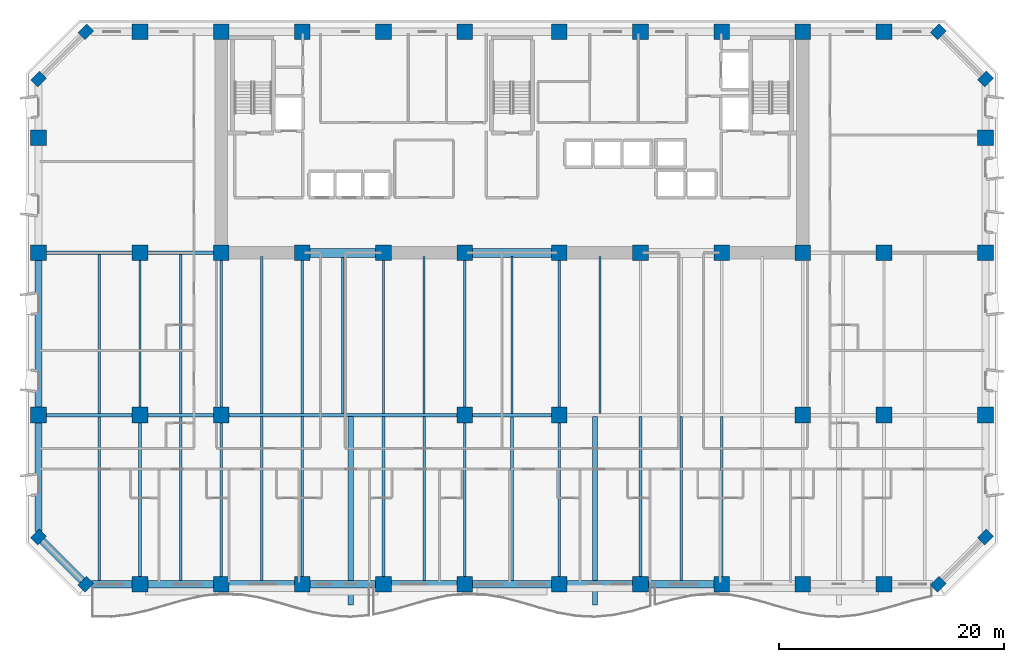
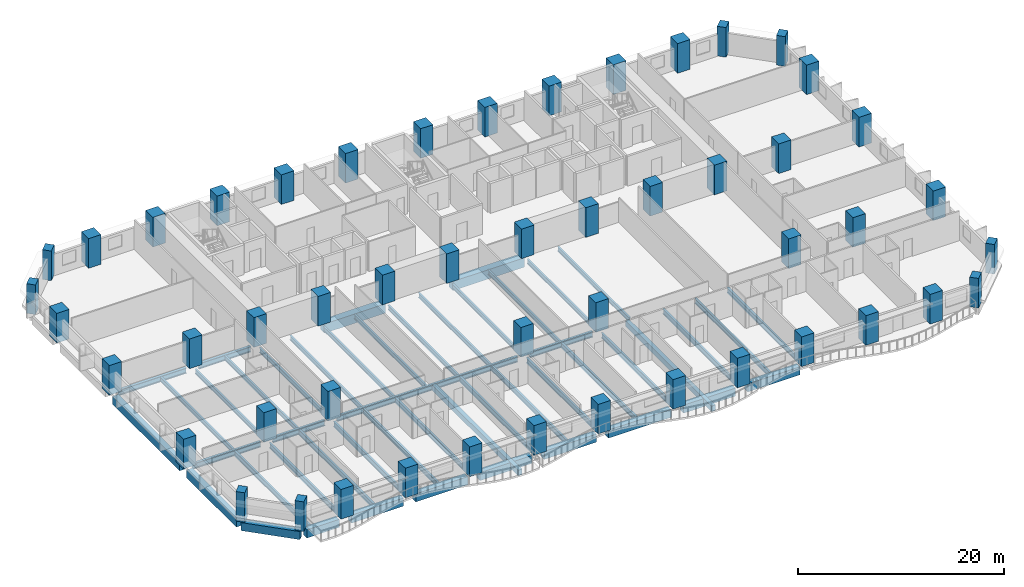
# One storey, part 1 of 15: 50 columns, 48 beams.
"""IFC4 building model written with IfcOpenShell, lengths in metres."""

from ifc_helpers import new_model, si_unit, direction, frame, origin, origin_2d, place, context, subcontext, project, spatial, rectangle, i_section, extrude, material, material_profile, profile_set, type_object, element, save


model = new_model("IFC4")

# Units and contexts
model_context = context("Model", 3, precision=1e-05, world=origin(), true_north=direction((0.0, 1.0)))
body_context = subcontext(model_context, "Body", "Model", "MODEL_VIEW")
ifc_project = project(units=[si_unit("LENGTHUNIT", "METRE"), si_unit("AREAUNIT", "SQUARE_METRE"), si_unit("VOLUMEUNIT", "CUBIC_METRE"), si_unit("PLANEANGLEUNIT", "RADIAN"), si_unit("MASSUNIT", "GRAM", prefix="KILO")], contexts=[model_context])

# Site, building, storey
site_placement = place(None, origin())
site = spatial("IfcSite", under=ifc_project, at=site_placement, CompositionType="ELEMENT")
building_placement = place(site_placement, origin())
building = spatial("IfcBuilding", under=site, at=building_placement, Name="Kaelvorn Grand Hotel", CompositionType="ELEMENT")
storey_placement = place(building_placement, frame((0.0, 0.0, 42.64990234375)))
storey = spatial("IfcBuildingStorey", under=building, at=storey_placement, Name="L08", CompositionType="ELEMENT", Elevation=42.64990234375)

# Columns
ifc_material_1 = material(Name="Concrete C80/95", Category="concrete")
ifc_material_profile_1 = material_profile(ifc_material_1, rectangle(XDim=1.10009765625, YDim=0.89990234375, at=origin_2d()), Name="RC PILASTER 1100x900")
ifc_profile_set_1 = profile_set([ifc_material_profile_1], Name="Concrete C80/95")
column_type_1 = type_object("IfcColumnType", Name="COL-PIL-1100x900-C80", PredefinedType="PILASTER", material=ifc_profile_set_1)
for number, where, z_axis, x_axis, name in (
    (1, (4.199951171875, 0.0, 0.0), (0.0, 0.0, 1.0), (0.707106781187, 0.707106781187, 0.0), "L08 Structural Column CH-01"),
    (2, (79.800048828125, 0.0, 0.0), (0.0, 0.0, 1.0), (0.707106781187, 0.707106781187, 0.0), "L08 Structural Column CH-02"),
    (3, (84.0, 4.199951171875, 0.0), (0.0, 0.0, 1.0), (0.707106781187, 0.707106781187, 0.0), "L08 Structural Column CH-03"),
    (4, (84.0, 44.800048828125, 0.0), (0.0, 0.0, 1.0), (0.707106781187, 0.707106781187, 0.0), "L08 Structural Column CH-04"),
    (5, (79.800048828125, 49.0, 0.0), (0.0, 0.0, 1.0), (0.707106781187, 0.707106781187, 0.0), "L08 Structural Column CH-05"),
    (6, (4.199951171875, 49.0, 0.0), (0.0, 0.0, 1.0), (0.707106781187, 0.707106781187, 0.0), "L08 Structural Column CH-06"),
    (7, (0.0, 44.800048828125, 0.0), (0.0, 0.0, 1.0), (0.707106781187, 0.707106781187, 0.0), "L08 Structural Column CH-07"),
    (8, (0.0, 4.199951171875, 0.0), (0.0, 0.0, 1.0), (0.707106781187, 0.707106781187, 0.0), "L08 Structural Column CH-08"),
):
    element("IfcColumn", number, at=place(storey_placement, frame(where, z_axis=z_axis, x_axis=x_axis)), inside=storey, type_object=column_type_1, Name=name, PredefinedType="PILASTER", context=body_context, shape_type="SweptSolid", body=[
        extrude(rectangle(XDim=1.10009765625, YDim=0.89990234375, at=origin_2d()), origin(), (0.0, 0.0, 1.0), 3.510009765625),
    ])
ifc_material_profile_2 = material_profile(ifc_material_1, rectangle(XDim=1.39990234375, YDim=1.39990234375, at=origin_2d()), Name="RC COL 1400x1400")
ifc_profile_set_2 = profile_set([ifc_material_profile_2], Name="Concrete C80/95")
column_type_2 = type_object("IfcColumnType", Name="COL-RC-1400-C80", PredefinedType="COLUMN", material=ifc_profile_set_2)
for number, where, z_axis, x_axis, name in (
    (9, (9.0, 0.0, 0.0), (0.0, 0.0, 1.0), (1.0, 0.0, 0.0), "L08 Structural Column S-01"),
    (10, (16.199951171875, 0.0, 0.0), (0.0, 0.0, 1.0), (1.0, 0.0, 0.0), "L08 Structural Column S-02"),
    (11, (23.39990234375, 0.0, 0.0), (0.0, 0.0, 1.0), (1.0, 0.0, 0.0), "L08 Structural Column S-03"),
    (12, (30.60009765625, 0.0, 0.0), (0.0, 0.0, 1.0), (1.0, 0.0, 0.0), "L08 Structural Column S-04"),
    (13, (37.800048828125, 0.0, 0.0), (0.0, 0.0, 1.0), (1.0, 0.0, 0.0), "L08 Structural Column S-05"),
    (14, (46.199951171875, 0.0, 0.0), (0.0, 0.0, 1.0), (1.0, 0.0, 0.0), "L08 Structural Column S-06"),
    (15, (53.39990234375, 0.0, 0.0), (0.0, 0.0, 1.0), (1.0, 0.0, 0.0), "L08 Structural Column S-07"),
    (16, (60.60009765625, 0.0, 0.0), (0.0, 0.0, 1.0), (1.0, 0.0, 0.0), "L08 Structural Column S-08"),
    (17, (67.800048828125, 0.0, 0.0), (0.0, 0.0, 1.0), (1.0, 0.0, 0.0), "L08 Structural Column S-09"),
    (18, (75.0, 0.0, 0.0), (0.0, 0.0, 1.0), (1.0, 0.0, 0.0), "L08 Structural Column S-10"),
    (19, (0.0, 15.0, 0.0), (0.0, 0.0, 1.0), (1.0, 0.0, 0.0), "L08 Structural Column W-01"),
    (20, (84.0, 15.0, 0.0), (0.0, 0.0, 1.0), (1.0, 0.0, 0.0), "L08 Structural Column E-01"),
    (21, (0.0, 29.39990234375, 0.0), (0.0, 0.0, 1.0), (1.0, 0.0, 0.0), "L08 Structural Column W-02"),
    (22, (84.0, 29.39990234375, 0.0), (0.0, 0.0, 1.0), (1.0, 0.0, 0.0), "L08 Structural Column E-02"),
    (23, (0.0, 39.60009765625, 0.0), (0.0, 0.0, 1.0), (1.0, 0.0, 0.0), "L08 Structural Column W-03"),
    (24, (84.0, 39.60009765625, 0.0), (0.0, 0.0, 1.0), (1.0, 0.0, 0.0), "L08 Structural Column E-03"),
    (25, (9.0, 15.0, 0.0), (0.0, 0.0, 1.0), (1.0, 0.0, 0.0), "L08 Structural Column M-01"),
    (26, (16.199951171875, 15.0, 0.0), (0.0, 0.0, 1.0), (1.0, 0.0, 0.0), "L08 Structural Column M-02"),
    (27, (37.800048828125, 15.0, 0.0), (0.0, 0.0, 1.0), (1.0, 0.0, 0.0), "L08 Structural Column M-03"),
    (28, (46.199951171875, 15.0, 0.0), (0.0, 0.0, 1.0), (1.0, 0.0, 0.0), "L08 Structural Column M-04"),
    (29, (67.800048828125, 15.0, 0.0), (0.0, 0.0, 1.0), (1.0, 0.0, 0.0), "L08 Structural Column M-05"),
    (30, (75.0, 15.0, 0.0), (0.0, 0.0, 1.0), (1.0, 0.0, 0.0), "L08 Structural Column M-06"),
    (31, (9.0, 29.39990234375, 0.0), (0.0, 0.0, 1.0), (1.0, 0.0, 0.0), "L08 Structural Column CR1-01"),
    (32, (9.0, 49.0, 0.0), (0.0, 0.0, 1.0), (1.0, 0.0, 0.0), "L08 Structural Column CR2-01"),
    (33, (16.199951171875, 29.39990234375, 0.0), (0.0, 0.0, 1.0), (1.0, 0.0, 0.0), "L08 Structural Column CR1-02"),
    (34, (16.199951171875, 49.0, 0.0), (0.0, 0.0, 1.0), (1.0, 0.0, 0.0), "L08 Structural Column CR2-02"),
    (35, (23.39990234375, 29.39990234375, 0.0), (0.0, 0.0, 1.0), (1.0, 0.0, 0.0), "L08 Structural Column CR1-03"),
    (36, (23.39990234375, 49.0, 0.0), (0.0, 0.0, 1.0), (1.0, 0.0, 0.0), "L08 Structural Column CR2-03"),
    (37, (30.60009765625, 29.39990234375, 0.0), (0.0, 0.0, 1.0), (1.0, 0.0, 0.0), "L08 Structural Column CR1-04"),
    (38, (30.60009765625, 49.0, 0.0), (0.0, 0.0, 1.0), (1.0, 0.0, 0.0), "L08 Structural Column CR2-04"),
    (39, (37.800048828125, 29.39990234375, 0.0), (0.0, 0.0, 1.0), (1.0, 0.0, 0.0), "L08 Structural Column CR1-05"),
    (40, (37.800048828125, 49.0, 0.0), (0.0, 0.0, 1.0), (1.0, 0.0, 0.0), "L08 Structural Column CR2-05"),
    (41, (46.199951171875, 29.39990234375, 0.0), (0.0, 0.0, 1.0), (1.0, 0.0, 0.0), "L08 Structural Column CR1-06"),
    (42, (46.199951171875, 49.0, 0.0), (0.0, 0.0, 1.0), (1.0, 0.0, 0.0), "L08 Structural Column CR2-06"),
    (43, (53.39990234375, 29.39990234375, 0.0), (0.0, 0.0, 1.0), (1.0, 0.0, 0.0), "L08 Structural Column CR1-07"),
    (44, (53.39990234375, 49.0, 0.0), (0.0, 0.0, 1.0), (1.0, 0.0, 0.0), "L08 Structural Column CR2-07"),
    (45, (60.60009765625, 29.39990234375, 0.0), (0.0, 0.0, 1.0), (1.0, 0.0, 0.0), "L08 Structural Column CR1-08"),
    (46, (60.60009765625, 49.0, 0.0), (0.0, 0.0, 1.0), (1.0, 0.0, 0.0), "L08 Structural Column CR2-08"),
    (47, (67.800048828125, 29.39990234375, 0.0), (0.0, 0.0, 1.0), (1.0, 0.0, 0.0), "L08 Structural Column CR1-09"),
    (48, (67.800048828125, 49.0, 0.0), (0.0, 0.0, 1.0), (1.0, 0.0, 0.0), "L08 Structural Column CR2-09"),
    (49, (75.0, 29.39990234375, 0.0), (0.0, 0.0, 1.0), (1.0, 0.0, 0.0), "L08 Structural Column CR1-10"),
    (50, (75.0, 49.0, 0.0), (0.0, 0.0, 1.0), (1.0, 0.0, 0.0), "L08 Structural Column CR2-10"),
):
    element("IfcColumn", number, at=place(storey_placement, frame(where, z_axis=z_axis, x_axis=x_axis)), inside=storey, type_object=column_type_2, Name=name, PredefinedType="COLUMN", context=body_context, shape_type="SweptSolid", body=[
        extrude(rectangle(XDim=1.39990234375, YDim=1.39990234375, at=origin_2d()), origin(), (0.0, 0.0, 1.0), 3.510009765625),
    ])

# Beams
ifc_material_2 = material(Name="Steel S355", Category="steel")
ifc_material_profile_3 = material_profile(ifc_material_2, i_section(OverallWidth=0.300048828125, OverallDepth=0.64990234375, WebThickness=0.01611328125, FlangeThickness=0.031005859375, FilletRadius=0.027099609375, at=origin_2d()), Name="HEB 650")
ifc_profile_set_3 = profile_set([ifc_material_profile_3], Name="Steel S355")
beam_type_1 = type_object("IfcBeamType", Name="BM-G-HEB650-S355", PredefinedType="BEAM", material=ifc_profile_set_3)
beam_1_placement = place(storey_placement, frame((0.68505859375, 15.0, -0.56494140625), z_axis=(1.0, 0.0, 0.0), x_axis=(0.0, 1.0, 0.0)))
element("IfcBeam", 51, at=beam_1_placement, inside=storey, type_object=beam_type_1, Name="L08 Primary Spine Steel Girder G-15 01", PredefinedType="BEAM", context=body_context, shape_type="SweptSolid", body=[
    extrude(i_section(OverallWidth=0.300048828125, OverallDepth=0.64990234375, WebThickness=0.01611328125, FlangeThickness=0.031005859375, FilletRadius=0.027099609375, at=origin_2d()), origin(), (0.0, 0.0, 1.0), 7.6298828125),
])
beam_2_placement = place(storey_placement, frame((9.68505859375, 15.0, -0.56494140625), z_axis=(1.0, 0.0, 0.0), x_axis=(0.0, 1.0, 0.0)))
element("IfcBeam", 52, at=beam_2_placement, inside=storey, type_object=beam_type_1, Name="L08 Primary Spine Steel Girder G-15 02", PredefinedType="BEAM", context=body_context, shape_type="SweptSolid", body=[
    extrude(i_section(OverallWidth=0.300048828125, OverallDepth=0.64990234375, WebThickness=0.01611328125, FlangeThickness=0.031005859375, FilletRadius=0.027099609375, at=origin_2d()), origin(), (0.0, 0.0, 1.0), 5.829833984375),
])
beam_3_placement = place(storey_placement, frame((16.885009765625, 15.0, -0.56494140625), z_axis=(1.0, 0.0, 0.0), x_axis=(0.0, 1.0, 0.0)))
element("IfcBeam", 53, at=beam_3_placement, inside=storey, type_object=beam_type_1, Name="L08 Primary Spine Steel Girder G-15 03", PredefinedType="BEAM", context=body_context, shape_type="SweptSolid", body=[
    extrude(i_section(OverallWidth=0.300048828125, OverallDepth=0.64990234375, WebThickness=0.01611328125, FlangeThickness=0.031005859375, FilletRadius=0.027099609375, at=origin_2d()), origin(), (0.0, 0.0, 1.0), 20.22998046875),
])
beam_4_placement = place(storey_placement, frame((38.485107421875, 15.0, -0.56494140625), z_axis=(1.0, 0.0, 0.0), x_axis=(0.0, 1.0, 0.0)))
element("IfcBeam", 54, at=beam_4_placement, inside=storey, type_object=beam_type_1, Name="L08 Primary Spine Steel Girder G-15 04", PredefinedType="BEAM", context=body_context, shape_type="SweptSolid", body=[
    extrude(i_section(OverallWidth=0.300048828125, OverallDepth=0.64990234375, WebThickness=0.01611328125, FlangeThickness=0.031005859375, FilletRadius=0.027099609375, at=origin_2d()), origin(), (0.0, 0.0, 1.0), 7.02978515625),
])
beam_5_placement = place(storey_placement, frame((0.68505859375, 29.39990234375, -0.56494140625), z_axis=(1.0, 0.0, 0.0), x_axis=(0.0, 1.0, 0.0)))
element("IfcBeam", 55, at=beam_5_placement, inside=storey, type_object=beam_type_1, Name="L08 West Core Wing Steel Girder G-29W 01", PredefinedType="BEAM", context=body_context, shape_type="SweptSolid", body=[
    extrude(i_section(OverallWidth=0.300048828125, OverallDepth=0.64990234375, WebThickness=0.01611328125, FlangeThickness=0.031005859375, FilletRadius=0.027099609375, at=origin_2d()), origin(), (0.0, 0.0, 1.0), 7.6298828125),
])
beam_6_placement = place(storey_placement, frame((9.68505859375, 29.39990234375, -0.56494140625), z_axis=(1.0, 0.0, 0.0), x_axis=(0.0, 1.0, 0.0)))
element("IfcBeam", 56, at=beam_6_placement, inside=storey, type_object=beam_type_1, Name="L08 West Core Wing Steel Girder G-29W 02", PredefinedType="BEAM", context=body_context, shape_type="SweptSolid", body=[
    extrude(i_section(OverallWidth=0.300048828125, OverallDepth=0.64990234375, WebThickness=0.01611328125, FlangeThickness=0.031005859375, FilletRadius=0.027099609375, at=origin_2d()), origin(), (0.0, 0.0, 1.0), 5.829833984375),
])
ifc_material_profile_4 = material_profile(ifc_material_2, i_section(OverallWidth=0.209228515625, OverallDepth=0.533203125, WebThickness=0.010009765625, FlangeThickness=0.015625, FilletRadius=0.0126953125, at=origin_2d()), Name="UB 533x210x92")
ifc_profile_set_4 = profile_set([ifc_material_profile_4], Name="Steel S355")
beam_type_2 = type_object("IfcBeamType", Name="BM-J-UB533-S355", PredefinedType="JOIST", material=ifc_profile_set_4)
beam_7_placement = place(storey_placement, frame((5.39990234375, 15.135009765625, -0.50634765625), z_axis=(0.0, 1.0, 0.0), x_axis=(-1.0, 0.0, 0.0)))
element("IfcBeam", 57, at=beam_7_placement, inside=storey, type_object=beam_type_2, Name="L08 Composite Floor Joist JM-02", PredefinedType="JOIST", context=body_context, shape_type="SweptSolid", body=[
    extrude(i_section(OverallWidth=0.209228515625, OverallDepth=0.533203125, WebThickness=0.010009765625, FlangeThickness=0.015625, FilletRadius=0.0126953125, at=origin_2d()), origin(), (0.0, 0.0, 1.0), 14.1298828125),
])
beam_8_placement = place(storey_placement, frame((9.0, 15.68505859375, -0.50634765625), z_axis=(0.0, 1.0, 0.0), x_axis=(-1.0, 0.0, 0.0)))
element("IfcBeam", 58, at=beam_8_placement, inside=storey, type_object=beam_type_2, Name="L08 Composite Floor Joist JM-03", PredefinedType="JOIST", context=body_context, shape_type="SweptSolid", body=[
    extrude(i_section(OverallWidth=0.209228515625, OverallDepth=0.533203125, WebThickness=0.010009765625, FlangeThickness=0.015625, FilletRadius=0.0126953125, at=origin_2d()), origin(), (0.0, 0.0, 1.0), 13.030029296875),
])
beam_9_placement = place(storey_placement, frame((12.60009765625, 15.135009765625, -0.50634765625), z_axis=(0.0, 1.0, 0.0), x_axis=(-1.0, 0.0, 0.0)))
element("IfcBeam", 59, at=beam_9_placement, inside=storey, type_object=beam_type_2, Name="L08 Composite Floor Joist JM-04", PredefinedType="JOIST", context=body_context, shape_type="SweptSolid", body=[
    extrude(i_section(OverallWidth=0.209228515625, OverallDepth=0.533203125, WebThickness=0.010009765625, FlangeThickness=0.015625, FilletRadius=0.0126953125, at=origin_2d()), origin(), (0.0, 0.0, 1.0), 14.1298828125),
])
beam_10_placement = place(storey_placement, frame((16.199951171875, 15.68505859375, -0.50634765625), z_axis=(0.0, 1.0, 0.0), x_axis=(-1.0, 0.0, 0.0)))
element("IfcBeam", 60, at=beam_10_placement, inside=storey, type_object=beam_type_2, Name="L08 Composite Floor Joist JM-05", PredefinedType="JOIST", context=body_context, shape_type="SweptSolid", body=[
    extrude(i_section(OverallWidth=0.209228515625, OverallDepth=0.533203125, WebThickness=0.010009765625, FlangeThickness=0.015625, FilletRadius=0.0126953125, at=origin_2d()), origin(), (0.0, 0.0, 1.0), 13.030029296875),
])
beam_11_placement = place(storey_placement, frame((19.800048828125, 15.135009765625, -0.50634765625), z_axis=(0.0, 1.0, 0.0), x_axis=(-1.0, 0.0, 0.0)))
element("IfcBeam", 61, at=beam_11_placement, inside=storey, type_object=beam_type_2, Name="L08 Composite Floor Joist JM-06", PredefinedType="JOIST", context=body_context, shape_type="SweptSolid", body=[
    extrude(i_section(OverallWidth=0.209228515625, OverallDepth=0.533203125, WebThickness=0.010009765625, FlangeThickness=0.015625, FilletRadius=0.0126953125, at=origin_2d()), origin(), (0.0, 0.0, 1.0), 13.925048828125),
])
beam_12_placement = place(storey_placement, frame((23.39990234375, 15.135009765625, -0.50634765625), z_axis=(0.0, 1.0, 0.0), x_axis=(-1.0, 0.0, 0.0)))
element("IfcBeam", 62, at=beam_12_placement, inside=storey, type_object=beam_type_2, Name="L08 Composite Floor Joist JM-07", PredefinedType="JOIST", context=body_context, shape_type="SweptSolid", body=[
    extrude(i_section(OverallWidth=0.209228515625, OverallDepth=0.533203125, WebThickness=0.010009765625, FlangeThickness=0.015625, FilletRadius=0.0126953125, at=origin_2d()), origin(), (0.0, 0.0, 1.0), 13.580078125),
])
beam_13_placement = place(storey_placement, frame((27.0, 15.135009765625, -0.50634765625), z_axis=(0.0, 1.0, 0.0), x_axis=(-1.0, 0.0, 0.0)))
element("IfcBeam", 63, at=beam_13_placement, inside=storey, type_object=beam_type_2, Name="L08 Composite Floor Joist JM-08", PredefinedType="JOIST", context=body_context, shape_type="SweptSolid", body=[
    extrude(i_section(OverallWidth=0.209228515625, OverallDepth=0.533203125, WebThickness=0.010009765625, FlangeThickness=0.015625, FilletRadius=0.0126953125, at=origin_2d()), origin(), (0.0, 0.0, 1.0), 13.925048828125),
])
beam_14_placement = place(storey_placement, frame((30.60009765625, 15.135009765625, -0.50634765625), z_axis=(0.0, 1.0, 0.0), x_axis=(-1.0, 0.0, 0.0)))
element("IfcBeam", 64, at=beam_14_placement, inside=storey, type_object=beam_type_2, Name="L08 Composite Floor Joist JM-09", PredefinedType="JOIST", context=body_context, shape_type="SweptSolid", body=[
    extrude(i_section(OverallWidth=0.209228515625, OverallDepth=0.533203125, WebThickness=0.010009765625, FlangeThickness=0.015625, FilletRadius=0.0126953125, at=origin_2d()), origin(), (0.0, 0.0, 1.0), 13.580078125),
])
beam_15_placement = place(storey_placement, frame((34.199951171875, 15.135009765625, -0.50634765625), z_axis=(0.0, 1.0, 0.0), x_axis=(-1.0, 0.0, 0.0)))
element("IfcBeam", 65, at=beam_15_placement, inside=storey, type_object=beam_type_2, Name="L08 Composite Floor Joist JM-10", PredefinedType="JOIST", context=body_context, shape_type="SweptSolid", body=[
    extrude(i_section(OverallWidth=0.209228515625, OverallDepth=0.533203125, WebThickness=0.010009765625, FlangeThickness=0.015625, FilletRadius=0.0126953125, at=origin_2d()), origin(), (0.0, 0.0, 1.0), 13.925048828125),
])
beam_16_placement = place(storey_placement, frame((37.800048828125, 15.68505859375, -0.50634765625), z_axis=(0.0, 1.0, 0.0), x_axis=(-1.0, 0.0, 0.0)))
element("IfcBeam", 66, at=beam_16_placement, inside=storey, type_object=beam_type_2, Name="L08 Composite Floor Joist JM-11", PredefinedType="JOIST", context=body_context, shape_type="SweptSolid", body=[
    extrude(i_section(OverallWidth=0.209228515625, OverallDepth=0.533203125, WebThickness=0.010009765625, FlangeThickness=0.015625, FilletRadius=0.0126953125, at=origin_2d()), origin(), (0.0, 0.0, 1.0), 13.030029296875),
])
beam_17_placement = place(storey_placement, frame((42.0, 15.135009765625, -0.50634765625), z_axis=(0.0, 1.0, 0.0), x_axis=(-1.0, 0.0, 0.0)))
element("IfcBeam", 67, at=beam_17_placement, inside=storey, type_object=beam_type_2, Name="L08 Composite Floor Joist JM-12", PredefinedType="JOIST", context=body_context, shape_type="SweptSolid", body=[
    extrude(i_section(OverallWidth=0.209228515625, OverallDepth=0.533203125, WebThickness=0.010009765625, FlangeThickness=0.015625, FilletRadius=0.0126953125, at=origin_2d()), origin(), (0.0, 0.0, 1.0), 13.925048828125),
])
beam_18_placement = place(storey_placement, frame((46.199951171875, 15.68505859375, -0.50634765625), z_axis=(0.0, 1.0, 0.0), x_axis=(-1.0, 0.0, 0.0)))
element("IfcBeam", 68, at=beam_18_placement, inside=storey, type_object=beam_type_2, Name="L08 Composite Floor Joist JM-13", PredefinedType="JOIST", context=body_context, shape_type="SweptSolid", body=[
    extrude(i_section(OverallWidth=0.209228515625, OverallDepth=0.533203125, WebThickness=0.010009765625, FlangeThickness=0.015625, FilletRadius=0.0126953125, at=origin_2d()), origin(), (0.0, 0.0, 1.0), 13.030029296875),
])
beam_19_placement = place(storey_placement, frame((49.800048828125, 15.135009765625, -0.50634765625), z_axis=(0.0, 1.0, 0.0), x_axis=(-1.0, 0.0, 0.0)))
element("IfcBeam", 69, at=beam_19_placement, inside=storey, type_object=beam_type_2, Name="L08 Composite Floor Joist JM-14", PredefinedType="JOIST", context=body_context, shape_type="SweptSolid", body=[
    extrude(i_section(OverallWidth=0.209228515625, OverallDepth=0.533203125, WebThickness=0.010009765625, FlangeThickness=0.015625, FilletRadius=0.0126953125, at=origin_2d()), origin(), (0.0, 0.0, 1.0), 13.925048828125),
])
ifc_material_profile_5 = material_profile(ifc_material_2, i_section(OverallWidth=0.22900390625, OverallDepth=0.6123046875, WebThickness=0.011962890625, FlangeThickness=0.01953125, FilletRadius=0.0126953125, at=origin_2d()), Name="UB 610x229x125")
ifc_profile_set_5 = profile_set([ifc_material_profile_5], Name="Steel S355")
beam_type_3 = type_object("IfcBeamType", Name="BM-J-UB610-S355", PredefinedType="JOIST", material=ifc_profile_set_5)
beam_20_placement = place(storey_placement, frame((5.39990234375, 0.31005859375, -0.5458984375), z_axis=(0.0, 1.0, 0.0), x_axis=(-1.0, 0.0, 0.0)))
element("IfcBeam", 70, at=beam_20_placement, inside=storey, type_object=beam_type_3, Name="L08 Composite Floor Joist JS-02", PredefinedType="JOIST", context=body_context, shape_type="SweptSolid", body=[
    extrude(i_section(OverallWidth=0.22900390625, OverallDepth=0.6123046875, WebThickness=0.011962890625, FlangeThickness=0.01953125, FilletRadius=0.0126953125, at=origin_2d()), origin(), (0.0, 0.0, 1.0), 14.554931640625),
])
beam_21_placement = place(storey_placement, frame((9.0, 0.68505859375, -0.5458984375), z_axis=(0.0, 1.0, 0.0), x_axis=(-1.0, 0.0, 0.0)))
element("IfcBeam", 71, at=beam_21_placement, inside=storey, type_object=beam_type_3, Name="L08 Composite Floor Joist JS-03", PredefinedType="JOIST", context=body_context, shape_type="SweptSolid", body=[
    extrude(i_section(OverallWidth=0.22900390625, OverallDepth=0.6123046875, WebThickness=0.011962890625, FlangeThickness=0.01953125, FilletRadius=0.0126953125, at=origin_2d()), origin(), (0.0, 0.0, 1.0), 13.6298828125),
])
beam_22_placement = place(storey_placement, frame((12.60009765625, 0.31005859375, -0.5458984375), z_axis=(0.0, 1.0, 0.0), x_axis=(-1.0, 0.0, 0.0)))
element("IfcBeam", 72, at=beam_22_placement, inside=storey, type_object=beam_type_3, Name="L08 Composite Floor Joist JS-04", PredefinedType="JOIST", context=body_context, shape_type="SweptSolid", body=[
    extrude(i_section(OverallWidth=0.22900390625, OverallDepth=0.6123046875, WebThickness=0.011962890625, FlangeThickness=0.01953125, FilletRadius=0.0126953125, at=origin_2d()), origin(), (0.0, 0.0, 1.0), 14.554931640625),
])
beam_23_placement = place(storey_placement, frame((16.199951171875, 0.68505859375, -0.5458984375), z_axis=(0.0, 1.0, 0.0), x_axis=(-1.0, 0.0, 0.0)))
element("IfcBeam", 73, at=beam_23_placement, inside=storey, type_object=beam_type_3, Name="L08 Composite Floor Joist JS-05", PredefinedType="JOIST", context=body_context, shape_type="SweptSolid", body=[
    extrude(i_section(OverallWidth=0.22900390625, OverallDepth=0.6123046875, WebThickness=0.011962890625, FlangeThickness=0.01953125, FilletRadius=0.0126953125, at=origin_2d()), origin(), (0.0, 0.0, 1.0), 13.6298828125),
])
beam_24_placement = place(storey_placement, frame((19.800048828125, 0.31005859375, -0.5458984375), z_axis=(0.0, 1.0, 0.0), x_axis=(-1.0, 0.0, 0.0)))
element("IfcBeam", 74, at=beam_24_placement, inside=storey, type_object=beam_type_3, Name="L08 Composite Floor Joist JS-06", PredefinedType="JOIST", context=body_context, shape_type="SweptSolid", body=[
    extrude(i_section(OverallWidth=0.22900390625, OverallDepth=0.6123046875, WebThickness=0.011962890625, FlangeThickness=0.01953125, FilletRadius=0.0126953125, at=origin_2d()), origin(), (0.0, 0.0, 1.0), 14.554931640625),
])
for number, where, z_axis, x_axis, name in (
    (75, (23.39990234375, 0.68505859375, -0.5458984375), (0.0, 1.0, 0.0), (-1.0, 0.0, 0.0), "L08 Composite Floor Joist JS-07"),
    (76, (30.60009765625, 0.68505859375, -0.5458984375), (0.0, 1.0, 0.0), (-1.0, 0.0, 0.0), "L08 Composite Floor Joist JS-09"),
):
    element("IfcBeam", number, at=place(storey_placement, frame(where, z_axis=z_axis, x_axis=x_axis)), inside=storey, type_object=beam_type_3, Name=name, PredefinedType="JOIST", context=body_context, shape_type="SweptSolid", body=[
        extrude(i_section(OverallWidth=0.22900390625, OverallDepth=0.6123046875, WebThickness=0.011962890625, FlangeThickness=0.01953125, FilletRadius=0.0126953125, at=origin_2d()), origin(), (0.0, 0.0, 1.0), 14.179931640625),
    ])
beam_25_placement = place(storey_placement, frame((34.199951171875, 0.31005859375, -0.5458984375), z_axis=(0.0, 1.0, 0.0), x_axis=(-1.0, 0.0, 0.0)))
element("IfcBeam", 77, at=beam_25_placement, inside=storey, type_object=beam_type_3, Name="L08 Composite Floor Joist JS-10", PredefinedType="JOIST", context=body_context, shape_type="SweptSolid", body=[
    extrude(i_section(OverallWidth=0.22900390625, OverallDepth=0.6123046875, WebThickness=0.011962890625, FlangeThickness=0.01953125, FilletRadius=0.0126953125, at=origin_2d()), origin(), (0.0, 0.0, 1.0), 14.554931640625),
])
beam_26_placement = place(storey_placement, frame((37.800048828125, 0.68505859375, -0.5458984375), z_axis=(0.0, 1.0, 0.0), x_axis=(-1.0, 0.0, 0.0)))
element("IfcBeam", 78, at=beam_26_placement, inside=storey, type_object=beam_type_3, Name="L08 Composite Floor Joist JS-11", PredefinedType="JOIST", context=body_context, shape_type="SweptSolid", body=[
    extrude(i_section(OverallWidth=0.22900390625, OverallDepth=0.6123046875, WebThickness=0.011962890625, FlangeThickness=0.01953125, FilletRadius=0.0126953125, at=origin_2d()), origin(), (0.0, 0.0, 1.0), 13.6298828125),
])
beam_27_placement = place(storey_placement, frame((42.0, 0.31005859375, -0.5458984375), z_axis=(0.0, 1.0, 0.0), x_axis=(-1.0, 0.0, 0.0)))
element("IfcBeam", 79, at=beam_27_placement, inside=storey, type_object=beam_type_3, Name="L08 Composite Floor Joist JS-12", PredefinedType="JOIST", context=body_context, shape_type="SweptSolid", body=[
    extrude(i_section(OverallWidth=0.22900390625, OverallDepth=0.6123046875, WebThickness=0.011962890625, FlangeThickness=0.01953125, FilletRadius=0.0126953125, at=origin_2d()), origin(), (0.0, 0.0, 1.0), 14.554931640625),
])
beam_28_placement = place(storey_placement, frame((46.199951171875, 0.68505859375, -0.5458984375), z_axis=(0.0, 1.0, 0.0), x_axis=(-1.0, 0.0, 0.0)))
element("IfcBeam", 80, at=beam_28_placement, inside=storey, type_object=beam_type_3, Name="L08 Composite Floor Joist JS-13", PredefinedType="JOIST", context=body_context, shape_type="SweptSolid", body=[
    extrude(i_section(OverallWidth=0.22900390625, OverallDepth=0.6123046875, WebThickness=0.011962890625, FlangeThickness=0.01953125, FilletRadius=0.0126953125, at=origin_2d()), origin(), (0.0, 0.0, 1.0), 13.6298828125),
])
beam_29_placement = place(storey_placement, frame((53.39990234375, 0.68505859375, -0.5458984375), z_axis=(0.0, 1.0, 0.0), x_axis=(-1.0, 0.0, 0.0)))
element("IfcBeam", 81, at=beam_29_placement, inside=storey, type_object=beam_type_3, Name="L08 Composite Floor Joist JS-15", PredefinedType="JOIST", context=body_context, shape_type="SweptSolid", body=[
    extrude(i_section(OverallWidth=0.22900390625, OverallDepth=0.6123046875, WebThickness=0.011962890625, FlangeThickness=0.01953125, FilletRadius=0.0126953125, at=origin_2d()), origin(), (0.0, 0.0, 1.0), 14.179931640625),
])
beam_30_placement = place(storey_placement, frame((57.0, 0.31005859375, -0.5458984375), z_axis=(0.0, 1.0, 0.0), x_axis=(-1.0, 0.0, 0.0)))
element("IfcBeam", 82, at=beam_30_placement, inside=storey, type_object=beam_type_3, Name="L08 Composite Floor Joist JS-16", PredefinedType="JOIST", context=body_context, shape_type="SweptSolid", body=[
    extrude(i_section(OverallWidth=0.22900390625, OverallDepth=0.6123046875, WebThickness=0.011962890625, FlangeThickness=0.01953125, FilletRadius=0.0126953125, at=origin_2d()), origin(), (0.0, 0.0, 1.0), 14.554931640625),
])
beam_31_placement = place(storey_placement, frame((60.60009765625, 0.68505859375, -0.5458984375), z_axis=(0.0, 1.0, 0.0), x_axis=(-1.0, 0.0, 0.0)))
element("IfcBeam", 83, at=beam_31_placement, inside=storey, type_object=beam_type_3, Name="L08 Composite Floor Joist JS-17", PredefinedType="JOIST", context=body_context, shape_type="SweptSolid", body=[
    extrude(i_section(OverallWidth=0.22900390625, OverallDepth=0.6123046875, WebThickness=0.011962890625, FlangeThickness=0.01953125, FilletRadius=0.0126953125, at=origin_2d()), origin(), (0.0, 0.0, 1.0), 14.179931640625),
])
ifc_material_3 = material(Name="Concrete C60/75", Category="concrete")
ifc_material_profile_6 = material_profile(ifc_material_3, rectangle(XDim=0.800048828125, YDim=1.10009765625, at=origin_2d()), Name="RC LINTEL 800x1100")
ifc_profile_set_6 = profile_set([ifc_material_profile_6], Name="Concrete C60/75")
beam_type_4 = type_object("IfcBeamType", Name="BM-LIN-800x1100-C60", PredefinedType="LINTEL", material=ifc_profile_set_6)
beam_32_placement = place(storey_placement, frame((23.580078125, 29.39990234375, -0.789794921875), z_axis=(1.0, 0.0, 0.0), x_axis=(0.0, 1.0, 0.0)))
element("IfcBeam", 84, at=beam_32_placement, inside=storey, type_object=beam_type_4, Name="L08 Rear-Core Coupling Lintel Beam CB1-01", PredefinedType="LINTEL", context=body_context, shape_type="SweptSolid", body=[
    extrude(rectangle(XDim=0.800048828125, YDim=1.10009765625, at=origin_2d()), origin(), (0.0, 0.0, 1.0), 6.83984375),
])
beam_33_placement = place(storey_placement, frame((37.97998046875, 29.39990234375, -0.789794921875), z_axis=(1.0, 0.0, 0.0), x_axis=(0.0, 1.0, 0.0)))
element("IfcBeam", 85, at=beam_33_placement, inside=storey, type_object=beam_type_4, Name="L08 Rear-Core Coupling Lintel Beam CB1-02", PredefinedType="LINTEL", context=body_context, shape_type="SweptSolid", body=[
    extrude(rectangle(XDim=0.800048828125, YDim=1.10009765625, at=origin_2d()), origin(), (0.0, 0.0, 1.0), 8.0400390625),
])
ifc_material_4 = material(Name="Concrete C40/50", Category="concrete")
ifc_material_profile_7 = material_profile(ifc_material_4, rectangle(XDim=0.449951171875, YDim=0.64990234375, at=origin_2d()), Name="RC RIB 450x650")
ifc_profile_set_7 = profile_set([ifc_material_profile_7], Name="Concrete C40/50")
beam_type_5 = type_object("IfcBeamType", Name="BM-RIB-450x650-C40", PredefinedType="SPANDREL", material=ifc_profile_set_7)
for number, where, z_axis, x_axis, name in (
    (86, (27.69775390625, -1.85009765625, -0.544921875), (0.0, 1.0, 0.0), (-1.0, 0.0, 0.0), "L08 Cantilevered Balcony Back-Span Rib RB1-1"),
    (87, (49.360107421875, -1.85009765625, -0.544921875), (0.0, 1.0, 0.0), (-1.0, 0.0, 0.0), "L08 Cantilevered Balcony Back-Span Rib RB1-2"),
):
    element("IfcBeam", number, at=place(storey_placement, frame(where, z_axis=z_axis, x_axis=x_axis)), inside=storey, type_object=beam_type_5, Name=name, PredefinedType="SPANDREL", context=body_context, shape_type="SweptSolid", body=[
        extrude(rectangle(XDim=0.449951171875, YDim=0.64990234375, at=origin_2d()), origin(), (0.0, 0.0, 1.0), 16.715087890625),
    ])
ifc_material_profile_8 = material_profile(ifc_material_3, rectangle(XDim=0.64990234375, YDim=0.949951171875, at=origin_2d()), Name="RC SPANDREL 650x950")
ifc_profile_set_8 = profile_set([ifc_material_profile_8], Name="Concrete C60/75")
beam_type_6 = type_object("IfcBeamType", Name="BM-SP-650x950-C60", PredefinedType="SPANDREL", material=ifc_profile_set_8)
beam_34_placement = place(storey_placement, frame((4.68505859375, 0.0, -0.71484375), z_axis=(1.0, 0.0, 0.0), x_axis=(0.0, 1.0, 0.0)))
element("IfcBeam", 88, at=beam_34_placement, inside=storey, type_object=beam_type_6, Name="L08 South Perimeter Spandrel 01", PredefinedType="SPANDREL", context=body_context, shape_type="SweptSolid", body=[
    extrude(rectangle(XDim=0.64990234375, YDim=0.949951171875, at=origin_2d()), origin(), (0.0, 0.0, 1.0), 3.6298828125),
])
beam_35_placement = place(storey_placement, frame((9.68505859375, 0.0, -0.71484375), z_axis=(1.0, 0.0, 0.0), x_axis=(0.0, 1.0, 0.0)))
element("IfcBeam", 89, at=beam_35_placement, inside=storey, type_object=beam_type_6, Name="L08 South Perimeter Spandrel 02", PredefinedType="SPANDREL", context=body_context, shape_type="SweptSolid", body=[
    extrude(rectangle(XDim=0.64990234375, YDim=0.949951171875, at=origin_2d()), origin(), (0.0, 0.0, 1.0), 5.829833984375),
])
for number, where, z_axis, x_axis, name in (
    (90, (16.885009765625, 0.0, -0.71484375), (1.0, 0.0, 0.0), (0.0, 1.0, 0.0), "L08 South Perimeter Spandrel 03"),
    (91, (24.0849609375, 0.0, -0.71484375), (1.0, 0.0, 0.0), (0.0, 1.0, 0.0), "L08 South Perimeter Spandrel 04"),
    (92, (31.284912109375, 0.0, -0.71484375), (1.0, 0.0, 0.0), (0.0, 1.0, 0.0), "L08 South Perimeter Spandrel 05"),
):
    element("IfcBeam", number, at=place(storey_placement, frame(where, z_axis=z_axis, x_axis=x_axis)), inside=storey, type_object=beam_type_6, Name=name, PredefinedType="SPANDREL", context=body_context, shape_type="SweptSolid", body=[
        extrude(rectangle(XDim=0.64990234375, YDim=0.949951171875, at=origin_2d()), origin(), (0.0, 0.0, 1.0), 5.830078125),
    ])
beam_36_placement = place(storey_placement, frame((38.485107421875, 0.0, -0.71484375), z_axis=(1.0, 0.0, 0.0), x_axis=(0.0, 1.0, 0.0)))
element("IfcBeam", 93, at=beam_36_placement, inside=storey, type_object=beam_type_6, Name="L08 South Perimeter Spandrel 06", PredefinedType="SPANDREL", context=body_context, shape_type="SweptSolid", body=[
    extrude(rectangle(XDim=0.64990234375, YDim=0.949951171875, at=origin_2d()), origin(), (0.0, 0.0, 1.0), 7.02978515625),
])
for number, where, z_axis, x_axis, name in (
    (94, (46.885009765625, 0.0, -0.71484375), (1.0, 0.0, 0.0), (0.0, 1.0, 0.0), "L08 South Perimeter Spandrel 07"),
    (95, (54.0849609375, 0.0, -0.71484375), (1.0, 0.0, 0.0), (0.0, 1.0, 0.0), "L08 South Perimeter Spandrel 08"),
):
    element("IfcBeam", number, at=place(storey_placement, frame(where, z_axis=z_axis, x_axis=x_axis)), inside=storey, type_object=beam_type_6, Name=name, PredefinedType="SPANDREL", context=body_context, shape_type="SweptSolid", body=[
        extrude(rectangle(XDim=0.64990234375, YDim=0.949951171875, at=origin_2d()), origin(), (0.0, 0.0, 1.0), 5.830078125),
    ])
beam_37_placement = place(storey_placement, frame((0.0, 4.68505859375, -0.71484375), z_axis=(0.0, 1.0, 0.0), x_axis=(-1.0, 0.0, 0.0)))
element("IfcBeam", 96, at=beam_37_placement, inside=storey, type_object=beam_type_6, Name="L08 West Perimeter Spandrel 01", PredefinedType="SPANDREL", context=body_context, shape_type="SweptSolid", body=[
    extrude(rectangle(XDim=0.64990234375, YDim=0.949951171875, at=origin_2d()), origin(), (0.0, 0.0, 1.0), 9.6298828125),
])
beam_38_placement = place(storey_placement, frame((0.0, 15.68505859375, -0.71484375), z_axis=(0.0, 1.0, 0.0), x_axis=(-1.0, 0.0, 0.0)))
element("IfcBeam", 97, at=beam_38_placement, inside=storey, type_object=beam_type_6, Name="L08 West Perimeter Spandrel 02", PredefinedType="SPANDREL", context=body_context, shape_type="SweptSolid", body=[
    extrude(rectangle(XDim=0.64990234375, YDim=0.949951171875, at=origin_2d()), origin(), (0.0, 0.0, 1.0), 13.030029296875),
])
beam_39_placement = place(storey_placement, frame((0.0, 4.199951171875, -0.71484375), z_axis=(0.707106781187, -0.707106781187, 0.0), x_axis=(0.707106781187, 0.707106781187, 0.0)))
element("IfcBeam", 98, at=beam_39_placement, inside=storey, type_object=beam_type_6, Name="L08 Chamfer Spandrel Beam 4", PredefinedType="SPANDREL", context=body_context, shape_type="SweptSolid", body=[
    extrude(rectangle(XDim=0.64990234375, YDim=0.949951171875, at=origin_2d()), origin(), (0.0, 0.0, 1.0), 5.939697265625),
])

save(model, "model.ifc")
